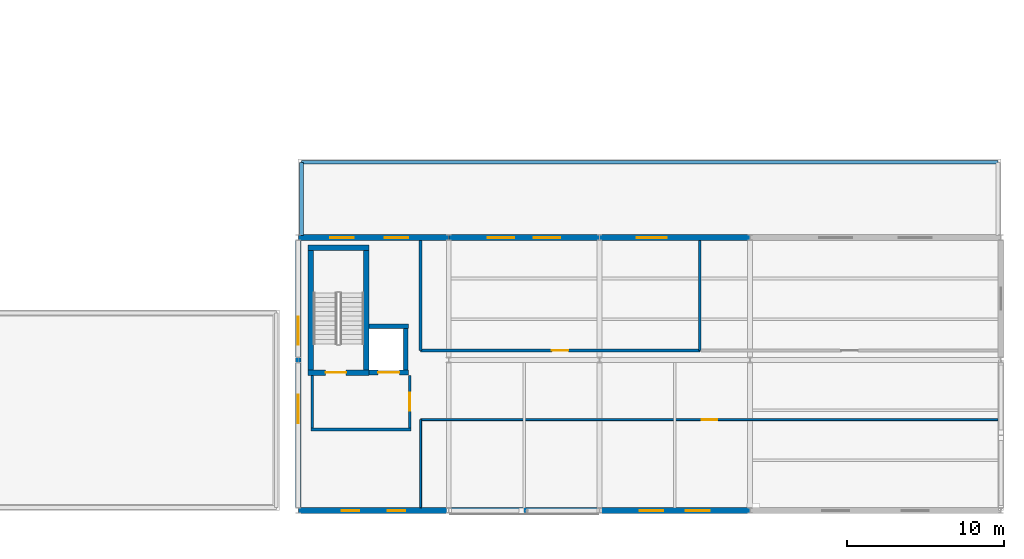
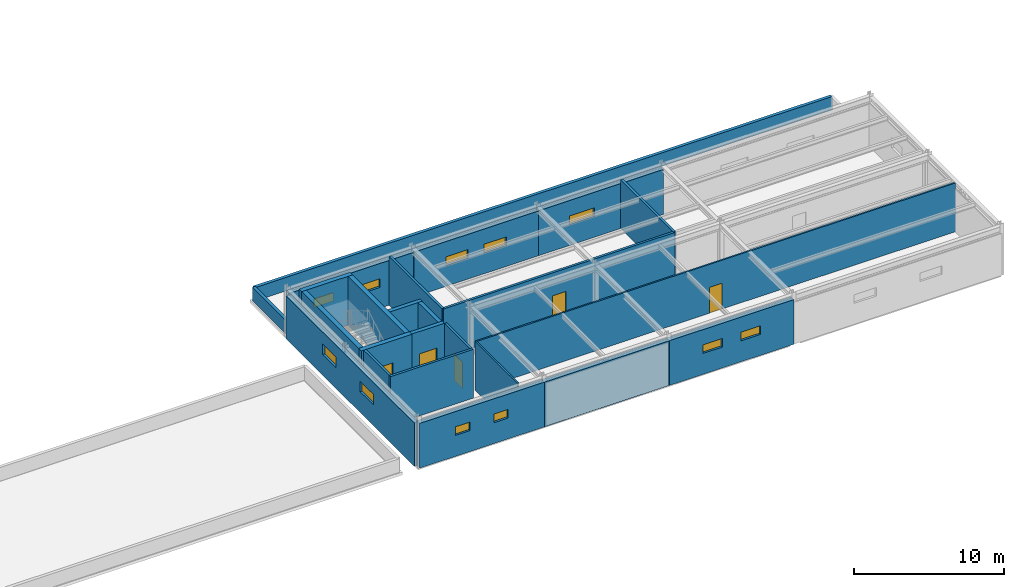
# One storey, part 77 of 88: 24 walls, 11 windows, 5 doors, 16 openings.
"""IFC4 building model written with IfcOpenShell, lengths in metres."""

from ifc_helpers import new_model, si_unit, direction, frame, frame_2d, origin, place, context, subcontext, project, spatial, rectangle, extrude, material, layer, layer_set, type_object, element, fill, save


model = new_model("IFC4")

# Units and contexts
model_context = context("Model", 3, precision=1e-05, world=origin(), true_north=direction((0.0, 1.0)))
body_context = subcontext(model_context, "Body", "Model", "MODEL_VIEW")
ifc_project = project(units=[si_unit("LENGTHUNIT", "METRE"), si_unit("AREAUNIT", "SQUARE_METRE"), si_unit("VOLUMEUNIT", "CUBIC_METRE"), si_unit("PLANEANGLEUNIT", "RADIAN"), si_unit("MASSUNIT", "GRAM", prefix="KILO")], contexts=[model_context])

# Site, building, storey
site_placement = place(None, origin())
site = spatial("IfcSite", under=ifc_project, at=site_placement, CompositionType="ELEMENT")
building_placement = place(site_placement, origin())
building = spatial("IfcBuilding", under=site, at=building_placement, Name="Nordkorset Police Headquarters", CompositionType="ELEMENT")
storey_placement = place(building_placement, frame((0.0, 0.0, 9.449951171875)))
storey = spatial("IfcBuildingStorey", under=building, at=storey_placement, Name="L02", CompositionType="ELEMENT", Elevation=9.449951171875)

# Walls
ifc_material_1 = material(Name="Gypsum board", Category="gypsum")
ifc_layer_1 = layer(ifc_material_1, 0.179931640625, Name="Gypsum board")
ifc_layer_set_1 = layer_set([ifc_layer_1], Name="Gypsum board")
wall_type_1 = type_object("IfcWallType", Name="Wall_Comp_180", PredefinedType="PARTITIONING", material=ifc_layer_set_1)
wall_1_placement = place(storey_placement, frame((127.199951171875, 5.159912109375, 0.0), z_axis=(0.0, 0.0, 1.0), x_axis=(1.0, 0.0, 0.0)))
element("IfcWall", 1, at=wall_1_placement, inside=storey, type_object=wall_type_1, Name="Firefighting Lobby EI 60 Wall K6 L02 S", PredefinedType="PARTITIONING", context=body_context, shape_type="SweptSolid", body=[
    extrude(rectangle(XDim=6.400146484375, YDim=0.179931640625, at=frame_2d((3.2001953125, 0.0))), origin(), (0.0, 0.0, 1.0), 3.969970703125),
])
wall_2_placement = place(storey_placement, frame((127.2900390625, 5.25, 0.0), z_axis=(0.0, 0.0, 1.0), x_axis=(0.0, 1.0, 0.0)))
element("IfcWall", 2, at=wall_2_placement, inside=storey, type_object=wall_type_1, Name="Firefighting Lobby EI 60 Wall K6 L02 W", PredefinedType="PARTITIONING", context=body_context, shape_type="SweptSolid", body=[
    extrude(rectangle(XDim=3.375, YDim=0.179931640625, at=frame_2d((1.6875, 0.0))), origin(), (0.0, 0.0, 1.0), 3.969970703125),
])

# Wall, opening, door
wall_3_placement = place(storey_placement, frame((133.510009765625, 5.25, 0.0), z_axis=(0.0, 0.0, 1.0), x_axis=(0.0, 1.0, 0.0)))
wall_3 = element("IfcWall", 3, at=wall_3_placement, inside=storey, type_object=wall_type_1, Name="Firefighting Lobby EI 60 Wall K6 L02 E", PredefinedType="PARTITIONING", context=body_context, shape_type="SweptSolid", body=[
    extrude(rectangle(XDim=3.375, YDim=0.179931640625, at=frame_2d((1.6875, 0.0))), origin(), (0.0, 0.0, 1.0), 3.969970703125),
])
opening_1_placement = place(wall_3_placement, frame((1.112548828125, 0.0, 0.0)))
opening_1 = element("IfcOpeningElement", 4, at=opening_1_placement, cuts=wall_3, Name="Opening DR-01", PredefinedType="OPENING", context=body_context, shape_type="SweptSolid", body=[
    extrude(rectangle(XDim=1.14990234375, YDim=2.14990234375, at=frame_2d((0.574951171875, 1.074951171875))), frame((0.0, 0.10009765625, 0.0), z_axis=(0.0, -1.0, 0.0), x_axis=(1.0, 0.0, 0.0)), (0.0, 0.0, 1.0), 0.199951171875),
])
ifc_material_2 = material(Name="Steel S355J2", Category="steel")
door_type_1 = type_object("IfcDoorType", Name="Door_LobbySingle_1150x2150", OperationType="NOTDEFINED", PredefinedType="DOOR", material=ifc_material_2)
door_1_placement = place(opening_1_placement, origin())
door_1 = element("IfcDoor", 5, at=door_1_placement, inside=storey, type_object=door_type_1, Name="Firefighting Lobby Smoke Door K6 L02 E", OperationType="SINGLE_SWING_LEFT", OverallHeight=2.14990234375, OverallWidth=1.14990234375, PredefinedType="DOOR", context=body_context, shape_type="SweptSolid", body=[
    extrude(rectangle(XDim=1.14990234375, YDim=2.14990234375, at=frame_2d((0.574951171875, 1.074951171875))), frame((0.0, 0.02490234375, 0.0), z_axis=(0.0, -1.0, 0.0), x_axis=(1.0, 0.0, 0.0)), (0.0, 0.0, 1.0), 0.050048828125),
])
fill(opening_1, door_1)

wall_4_placement = place(storey_placement, frame((134.199951171875, 10.199951171875, 0.0), z_axis=(0.0, 0.0, 1.0), x_axis=(1.0, 0.0, 0.0)))
wall_4 = element("IfcWall", 6, at=wall_4_placement, inside=storey, type_object=wall_type_1, Name="Interior Partition Wall Detention Cell 09", PredefinedType="PARTITIONING", context=body_context, shape_type="SweptSolid", body=[
    extrude(rectangle(XDim=17.800048828125, YDim=0.179931640625, at=frame_2d((8.89990234375, 0.0))), origin(), (0.0, 0.0, 1.0), 3.969970703125),
])
opening_2_placement = place(wall_4_placement, frame((8.375, 0.0, 0.0)))
opening_2 = element("IfcOpeningElement", 7, at=opening_2_placement, cuts=wall_4, Name="Opening DR-24", PredefinedType="OPENING", context=body_context, shape_type="SweptSolid", body=[
    extrude(rectangle(XDim=1.050048828125, YDim=2.10009765625, at=frame_2d((0.52490234375, 1.050048828125))), frame((0.0, 0.10009765625, 0.0), z_axis=(0.0, -1.0, 0.0), x_axis=(1.0, 0.0, 0.0)), (0.0, 0.0, 1.0), 0.199951171875),
])
ifc_material_3 = material(Name="Steel S355J2", Category="steel")
door_type_2 = type_object("IfcDoorType", Name="Door_CustodyCell_1050x2100", OperationType="NOTDEFINED", PredefinedType="DOOR", material=ifc_material_3)
door_2_placement = place(opening_2_placement, frame((1.050048828125, 0.0, 0.0), z_axis=(0.0, 0.0, 1.0), x_axis=(-1.0, 0.0, 0.0)))
door_2 = element("IfcDoor", 8, at=door_2_placement, inside=storey, type_object=door_type_2, Name="Interior Door Detention Cell 09", OperationType="SINGLE_SWING_LEFT", OverallHeight=2.10009765625, OverallWidth=1.050048828125, PredefinedType="DOOR", context=body_context, shape_type="SweptSolid", body=[
    extrude(rectangle(XDim=1.050048828125, YDim=2.10009765625, at=frame_2d((0.52490234375, 1.050048828125))), frame((0.0, 0.02490234375, 0.0), z_axis=(0.0, -1.0, 0.0), x_axis=(1.0, 0.0, 0.0)), (0.0, 0.0, 1.0), 0.050048828125),
])
fill(opening_2, door_2)

# Walls
for number, where, z_axis, x_axis, name in (
    (9, (152.0, 10.199951171875, 0.0), (0.0, 0.0, 1.0), (0.0, 1.0, 0.0), "Interior Partition Wall Detention Cell 09"),
    (10, (134.199951171875, 17.215087890625, 0.0), (0.0, 0.0, 1.0), (0.0, -1.0, 0.0), "Interior Partition Wall Detention Cell 09"),
):
    element("IfcWall", number, at=place(storey_placement, frame(where, z_axis=z_axis, x_axis=x_axis)), inside=storey, type_object=wall_type_1, Name=name, PredefinedType="PARTITIONING", context=body_context, shape_type="SweptSolid", body=[
        extrude(rectangle(XDim=7.01513671875, YDim=0.179931640625, at=frame_2d((3.507568359375, 0.0))), origin(), (0.0, 0.0, 1.0), 3.969970703125),
    ])

# Wall, opening, door
ifc_material_4 = material(Name="Concrete C35/45", Category="concrete")
ifc_layer_2 = layer(ifc_material_4, 0.35009765625, Name="Concrete C35/45")
ifc_layer_set_2 = layer_set([ifc_layer_2], Name="Concrete C35/45")
wall_type_2 = type_object("IfcWallType", Name="Wall_CoreShear_350", PredefinedType="SHEAR", material=ifc_layer_set_2)
wall_5_placement = place(storey_placement, frame((127.02490234375, 8.800048828125, 0.0), z_axis=(0.0, 0.0, 1.0), x_axis=(1.0, 0.0, 0.0)))
wall_5 = element("IfcWall", 11, at=wall_5_placement, inside=storey, type_object=wall_type_2, Name="Core K6 Stair Shaft South Shear Wall L02", PredefinedType="SHEAR", context=body_context, shape_type="SweptSolid", body=[
    extrude(rectangle(XDim=3.900146484375, YDim=0.35009765625, at=frame_2d((1.9501953125, 0.0))), origin(), (0.0, 0.0, 1.0), 3.969970703125),
])
opening_3_placement = place(wall_5_placement, frame((1.125, 0.0, 0.0)))
opening_3 = element("IfcOpeningElement", 12, at=opening_3_placement, cuts=wall_5, Name="Opening DR-20", PredefinedType="OPENING", context=body_context, shape_type="SweptSolid", body=[
    extrude(rectangle(XDim=1.300048828125, YDim=2.14990234375, at=frame_2d((0.64990234375, 1.074951171875))), frame((0.0, 0.18505859375, 0.0), z_axis=(0.0, -1.0, 0.0), x_axis=(1.0, 0.0, 0.0)), (0.0, 0.0, 1.0), 0.3701171875),
])
ifc_material_5 = material(Name="Steel S355J2", Category="steel")
door_type_3 = type_object("IfcDoorType", Name="Door_Stair_1300x2150", OperationType="NOTDEFINED", PredefinedType="DOOR", material=ifc_material_5)
door_3_placement = place(opening_3_placement, frame((1.300048828125, 0.0, 0.0), z_axis=(0.0, 0.0, 1.0), x_axis=(-1.0, 0.0, 0.0)))
door_3 = element("IfcDoor", 13, at=door_3_placement, inside=storey, type_object=door_type_3, Name="Protected Stair Fire Door ST-06 L02", OperationType="SINGLE_SWING_RIGHT", OverallHeight=2.14990234375, OverallWidth=1.300048828125, PredefinedType="DOOR", context=body_context, shape_type="SweptSolid", body=[
    extrude(rectangle(XDim=1.300048828125, YDim=2.14990234375, at=frame_2d((0.64990234375, 1.074951171875))), frame((0.0, 0.02490234375, 0.0), z_axis=(0.0, -1.0, 0.0), x_axis=(1.0, 0.0, 0.0)), (0.0, 0.0, 1.0), 0.050048828125),
])
fill(opening_3, door_3)

# Walls
wall_6_placement = place(storey_placement, frame((127.02490234375, 16.75, 0.0), z_axis=(0.0, 0.0, 1.0), x_axis=(1.0, 0.0, 0.0)))
element("IfcWall", 14, at=wall_6_placement, inside=storey, type_object=wall_type_2, Name="Core K6 Stair Shaft North Shear Wall L02", PredefinedType="SHEAR", context=body_context, shape_type="SweptSolid", body=[
    extrude(rectangle(XDim=3.900146484375, YDim=0.35009765625, at=frame_2d((1.9501953125, 0.0))), origin(), (0.0, 0.0, 1.0), 3.969970703125),
])
for number, where, z_axis, x_axis, name in (
    (15, (127.199951171875, 8.97509765625, 0.0), (0.0, 0.0, 1.0), (0.0, 1.0, 0.0), "Core K6 Stair Shaft West Shear Wall L02"),
    (16, (130.75, 8.97509765625, 0.0), (0.0, 0.0, 1.0), (0.0, 1.0, 0.0), "Core K6 Stair Shaft East Shear Wall L02"),
):
    element("IfcWall", number, at=place(storey_placement, frame(where, z_axis=z_axis, x_axis=x_axis)), inside=storey, type_object=wall_type_2, Name=name, PredefinedType="SHEAR", context=body_context, shape_type="SweptSolid", body=[
        extrude(rectangle(XDim=7.599853515625, YDim=0.35009765625, at=frame_2d((3.7998046875, 0.0))), origin(), (0.0, 0.0, 1.0), 3.969970703125),
    ])

# Wall, openings, windows
ifc_material_6 = material(Name="Precast concrete C40/50", Category="concrete")
ifc_layer_3 = layer(ifc_material_6, 0.3798828125, Name="Precast concrete C40/50")
ifc_layer_set_3 = layer_set([ifc_layer_3], Name="Precast concrete C40/50")
wall_type_3 = type_object("IfcWallType", Name="Wall_ExtCustody_380", PredefinedType="SOLIDWALL", material=ifc_layer_set_3)
wall_7_placement = place(storey_placement, frame((126.407958984375, 0.0, 0.0), z_axis=(0.0, 0.0, 1.0), x_axis=(1.0, 0.0, 0.0)))
wall_7 = element("IfcWall", 17, at=wall_7_placement, inside=storey, type_object=wall_type_3, Name="Exterior Insulated Precast Wall L02 V6S-0", PredefinedType="SOLIDWALL", context=body_context, shape_type="SweptSolid", body=[
    extrude(rectangle(XDim=9.583984375, YDim=0.3798828125, at=frame_2d((4.7919921875, 0.0))), origin(), (0.0, 0.0, 1.0), 3.64013671875),
])
opening_4_placement = place(wall_7_placement, frame((2.775390625, 0.0, 1.699951171875)))
opening_4 = element("IfcOpeningElement", 18, at=opening_4_placement, cuts=wall_7, Name="Opening WN-11", PredefinedType="OPENING", context=body_context, shape_type="SweptSolid", body=[
    extrude(rectangle(XDim=1.10009765625, YDim=0.699951171875, at=frame_2d((0.550048828125, 0.35009765625))), frame((0.0, 0.199951171875, 0.0), z_axis=(0.0, -1.0, 0.0), x_axis=(1.0, 0.0, 0.0)), (0.0, 0.0, 1.0), 0.39990234375),
])
opening_5_placement = place(wall_7_placement, frame((5.708740234375, 0.0, 1.699951171875)))
opening_5 = element("IfcOpeningElement", 19, at=opening_5_placement, cuts=wall_7, Name="Opening WN-11", PredefinedType="OPENING", context=body_context, shape_type="SweptSolid", body=[
    extrude(rectangle(XDim=1.10009765625, YDim=0.699951171875, at=frame_2d((0.550048828125, 0.35009765625))), frame((0.0, 0.199951171875, 0.0), z_axis=(0.0, -1.0, 0.0), x_axis=(1.0, 0.0, 0.0)), (0.0, 0.0, 1.0), 0.39990234375),
])
ifc_material_7 = material(Name="Low-iron triple glazing", Category="glass")
window_type_1 = type_object("IfcWindowType", Name="Win_1100x700", PartitioningType="SINGLE_PANEL", PredefinedType="WINDOW", material=ifc_material_7)
window_1_placement = place(opening_4_placement, origin())
window_1 = element("IfcWindow", 20, at=window_1_placement, inside=storey, type_object=window_type_1, Name="Triple-Glazed Exterior Window L02 V6S-0-1", OverallHeight=0.699951171875, OverallWidth=1.10009765625, PartitioningType="SINGLE_PANEL", PredefinedType="WINDOW", context=body_context, shape_type="SweptSolid", body=[
    extrude(rectangle(XDim=1.10009765625, YDim=0.699951171875, at=frame_2d((0.550048828125, 0.35009765625))), frame((0.0, 0.030029296875, 0.0), z_axis=(0.0, -1.0, 0.0), x_axis=(1.0, 0.0, 0.0)), (0.0, 0.0, 1.0), 0.06005859375),
])
fill(opening_4, window_1)
window_2_placement = place(opening_5_placement, origin())
window_2 = element("IfcWindow", 21, at=window_2_placement, inside=storey, type_object=window_type_1, Name="Triple-Glazed Exterior Window L02 V6S-0-2", OverallHeight=0.699951171875, OverallWidth=1.10009765625, PartitioningType="SINGLE_PANEL", PredefinedType="WINDOW", context=body_context, shape_type="SweptSolid", body=[
    extrude(rectangle(XDim=1.10009765625, YDim=0.699951171875, at=frame_2d((0.550048828125, 0.35009765625))), frame((0.0, 0.030029296875, 0.0), z_axis=(0.0, -1.0, 0.0), x_axis=(1.0, 0.0, 0.0)), (0.0, 0.0, 1.0), 0.06005859375),
])
fill(opening_5, window_2)

wall_8_placement = place(storey_placement, frame((126.407958984375, 17.39990234375, 0.0), z_axis=(0.0, 0.0, 1.0), x_axis=(1.0, 0.0, 0.0)))
wall_8 = element("IfcWall", 22, at=wall_8_placement, inside=storey, type_object=wall_type_3, Name="Exterior Insulated Precast Wall L02 V6N-0", PredefinedType="SOLIDWALL", context=body_context, shape_type="SweptSolid", body=[
    extrude(rectangle(XDim=9.583984375, YDim=0.3798828125, at=frame_2d((4.7919921875, 0.0))), origin(), (0.0, 0.0, 1.0), 3.64013671875),
])
opening_6_placement = place(wall_8_placement, frame((2.025390625, 0.0, 1.699951171875)))
opening_6 = element("IfcOpeningElement", 23, at=opening_6_placement, cuts=wall_8, Name="Opening WN-25", PredefinedType="OPENING", context=body_context, shape_type="SweptSolid", body=[
    extrude(rectangle(XDim=1.5, YDim=0.699951171875, at=frame_2d((0.75, 0.35009765625))), frame((0.0, 0.199951171875, 0.0), z_axis=(0.0, -1.0, 0.0), x_axis=(1.0, 0.0, 0.0)), (0.0, 0.0, 1.0), 0.39990234375),
])
opening_7_placement = place(wall_8_placement, frame((5.5087890625, 0.0, 1.699951171875)))
opening_7 = element("IfcOpeningElement", 24, at=opening_7_placement, cuts=wall_8, Name="Opening WN-25", PredefinedType="OPENING", context=body_context, shape_type="SweptSolid", body=[
    extrude(rectangle(XDim=1.5, YDim=0.699951171875, at=frame_2d((0.75, 0.35009765625))), frame((0.0, 0.199951171875, 0.0), z_axis=(0.0, -1.0, 0.0), x_axis=(1.0, 0.0, 0.0)), (0.0, 0.0, 1.0), 0.39990234375),
])
ifc_material_8 = material(Name="Low-iron triple glazing", Category="glass")
window_type_2 = type_object("IfcWindowType", Name="Win_1500x700", PartitioningType="SINGLE_PANEL", PredefinedType="WINDOW", material=ifc_material_8)
window_3_placement = place(opening_6_placement, origin())
window_3 = element("IfcWindow", 25, at=window_3_placement, inside=storey, type_object=window_type_2, Name="Triple-Glazed Exterior Window L02 V6N-0-1", OverallHeight=0.699951171875, OverallWidth=1.5, PartitioningType="SINGLE_PANEL", PredefinedType="WINDOW", context=body_context, shape_type="SweptSolid", body=[
    extrude(rectangle(XDim=1.5, YDim=0.699951171875, at=frame_2d((0.75, 0.35009765625))), frame((0.0, 0.030029296875, 0.0), z_axis=(0.0, -1.0, 0.0), x_axis=(1.0, 0.0, 0.0)), (0.0, 0.0, 1.0), 0.06005859375),
])
fill(opening_6, window_3)
window_4_placement = place(opening_7_placement, origin())
window_4 = element("IfcWindow", 26, at=window_4_placement, inside=storey, type_object=window_type_2, Name="Triple-Glazed Exterior Window L02 V6N-0-2", OverallHeight=0.699951171875, OverallWidth=1.5, PartitioningType="SINGLE_PANEL", PredefinedType="WINDOW", context=body_context, shape_type="SweptSolid", body=[
    extrude(rectangle(XDim=1.5, YDim=0.699951171875, at=frame_2d((0.75, 0.35009765625))), frame((0.0, 0.030029296875, 0.0), z_axis=(0.0, -1.0, 0.0), x_axis=(1.0, 0.0, 0.0)), (0.0, 0.0, 1.0), 0.06005859375),
])
fill(opening_7, window_4)

# Wall
wall_9_placement = place(storey_placement, frame((136.008056640625, 0.0, 0.0), z_axis=(0.0, 0.0, 1.0), x_axis=(1.0, 0.0, 0.0)))
element("IfcWall", 27, at=wall_9_placement, inside=storey, type_object=wall_type_3, Name="Exterior Insulated Precast Wall L02 V6S-1", PredefinedType="SOLIDWALL", context=body_context, shape_type="SweptSolid", body=[
    extrude(rectangle(XDim=9.583984375, YDim=0.3798828125, at=frame_2d((4.7919921875, 0.0))), origin(), (0.0, 0.0, 1.0), 3.635009765625),
])

# Wall, openings, windows
wall_10_placement = place(storey_placement, frame((136.008056640625, 17.39990234375, 0.0), z_axis=(0.0, 0.0, 1.0), x_axis=(1.0, 0.0, 0.0)))
wall_10 = element("IfcWall", 28, at=wall_10_placement, inside=storey, type_object=wall_type_3, Name="Exterior Insulated Precast Wall L02 V6N-1", PredefinedType="SOLIDWALL", context=body_context, shape_type="SweptSolid", body=[
    extrude(rectangle(XDim=9.583984375, YDim=0.3798828125, at=frame_2d((4.7919921875, 0.0))), origin(), (0.0, 0.0, 1.0), 3.64013671875),
])
opening_8_placement = place(wall_10_placement, frame((2.475341796875, 0.0, 1.699951171875)))
opening_8 = element("IfcOpeningElement", 29, at=opening_8_placement, cuts=wall_10, Name="Opening WN-10", PredefinedType="OPENING", context=body_context, shape_type="SweptSolid", body=[
    extrude(rectangle(XDim=1.699951171875, YDim=0.699951171875, at=frame_2d((0.85009765625, 0.35009765625))), frame((0.0, 0.199951171875, 0.0), z_axis=(0.0, -1.0, 0.0), x_axis=(1.0, 0.0, 0.0)), (0.0, 0.0, 1.0), 0.39990234375),
])
opening_9_placement = place(wall_10_placement, frame((5.40869140625, 0.0, 1.699951171875)))
opening_9 = element("IfcOpeningElement", 30, at=opening_9_placement, cuts=wall_10, Name="Opening WN-10", PredefinedType="OPENING", context=body_context, shape_type="SweptSolid", body=[
    extrude(rectangle(XDim=1.699951171875, YDim=0.699951171875, at=frame_2d((0.85009765625, 0.35009765625))), frame((0.0, 0.199951171875, 0.0), z_axis=(0.0, -1.0, 0.0), x_axis=(1.0, 0.0, 0.0)), (0.0, 0.0, 1.0), 0.39990234375),
])
ifc_material_9 = material(Name="Low-iron triple glazing", Category="glass")
window_type_3 = type_object("IfcWindowType", Name="Win_1700x700", PartitioningType="SINGLE_PANEL", PredefinedType="WINDOW", material=ifc_material_9)
window_5_placement = place(opening_8_placement, origin())
window_5 = element("IfcWindow", 31, at=window_5_placement, inside=storey, type_object=window_type_3, Name="Triple-Glazed Exterior Window L02 V6N-1-1", OverallHeight=0.699951171875, OverallWidth=1.699951171875, PartitioningType="SINGLE_PANEL", PredefinedType="WINDOW", context=body_context, shape_type="SweptSolid", body=[
    extrude(rectangle(XDim=1.699951171875, YDim=0.699951171875, at=frame_2d((0.85009765625, 0.35009765625))), frame((0.0, 0.030029296875, 0.0), z_axis=(0.0, -1.0, 0.0), x_axis=(1.0, 0.0, 0.0)), (0.0, 0.0, 1.0), 0.06005859375),
])
fill(opening_8, window_5)
window_6_placement = place(opening_9_placement, origin())
window_6 = element("IfcWindow", 32, at=window_6_placement, inside=storey, type_object=window_type_3, Name="Triple-Glazed Exterior Window L02 V6N-1-2", OverallHeight=0.699951171875, OverallWidth=1.699951171875, PartitioningType="SINGLE_PANEL", PredefinedType="WINDOW", context=body_context, shape_type="SweptSolid", body=[
    extrude(rectangle(XDim=1.699951171875, YDim=0.699951171875, at=frame_2d((0.85009765625, 0.35009765625))), frame((0.0, 0.030029296875, 0.0), z_axis=(0.0, -1.0, 0.0), x_axis=(1.0, 0.0, 0.0)), (0.0, 0.0, 1.0), 0.06005859375),
])
fill(opening_9, window_6)

wall_11_placement = place(storey_placement, frame((145.60791015625, 0.0, 0.0), z_axis=(0.0, 0.0, 1.0), x_axis=(1.0, 0.0, 0.0)))
wall_11 = element("IfcWall", 33, at=wall_11_placement, inside=storey, type_object=wall_type_3, Name="Exterior Insulated Precast Wall L02 V6S-2", PredefinedType="SOLIDWALL", context=body_context, shape_type="SweptSolid", body=[
    extrude(rectangle(XDim=9.583984375, YDim=0.3798828125, at=frame_2d((4.7919921875, 0.0))), origin(), (0.0, 0.0, 1.0), 3.635009765625),
])
opening_10_placement = place(wall_11_placement, frame((2.5751953125, 0.0, 1.699951171875)))
opening_10 = element("IfcOpeningElement", 34, at=opening_10_placement, cuts=wall_11, Name="Opening WN-25", PredefinedType="OPENING", context=body_context, shape_type="SweptSolid", body=[
    extrude(rectangle(XDim=1.5, YDim=0.699951171875, at=frame_2d((0.75, 0.35009765625))), frame((0.0, 0.199951171875, 0.0), z_axis=(0.0, -1.0, 0.0), x_axis=(1.0, 0.0, 0.0)), (0.0, 0.0, 1.0), 0.39990234375),
])
opening_11_placement = place(wall_11_placement, frame((5.5087890625, 0.0, 1.699951171875)))
opening_11 = element("IfcOpeningElement", 35, at=opening_11_placement, cuts=wall_11, Name="Opening WN-25", PredefinedType="OPENING", context=body_context, shape_type="SweptSolid", body=[
    extrude(rectangle(XDim=1.5, YDim=0.699951171875, at=frame_2d((0.75, 0.35009765625))), frame((0.0, 0.199951171875, 0.0), z_axis=(0.0, -1.0, 0.0), x_axis=(1.0, 0.0, 0.0)), (0.0, 0.0, 1.0), 0.39990234375),
])
window_7_placement = place(opening_10_placement, origin())
window_7 = element("IfcWindow", 36, at=window_7_placement, inside=storey, type_object=window_type_2, Name="Triple-Glazed Exterior Window L02 V6S-2-1", OverallHeight=0.699951171875, OverallWidth=1.5, PartitioningType="SINGLE_PANEL", PredefinedType="WINDOW", context=body_context, shape_type="SweptSolid", body=[
    extrude(rectangle(XDim=1.5, YDim=0.699951171875, at=frame_2d((0.75, 0.35009765625))), frame((0.0, 0.030029296875, 0.0), z_axis=(0.0, -1.0, 0.0), x_axis=(1.0, 0.0, 0.0)), (0.0, 0.0, 1.0), 0.06005859375),
])
fill(opening_10, window_7)
window_8_placement = place(opening_11_placement, origin())
window_8 = element("IfcWindow", 37, at=window_8_placement, inside=storey, type_object=window_type_2, Name="Triple-Glazed Exterior Window L02 V6S-2-2", OverallHeight=0.699951171875, OverallWidth=1.5, PartitioningType="SINGLE_PANEL", PredefinedType="WINDOW", context=body_context, shape_type="SweptSolid", body=[
    extrude(rectangle(XDim=1.5, YDim=0.699951171875, at=frame_2d((0.75, 0.35009765625))), frame((0.0, 0.030029296875, 0.0), z_axis=(0.0, -1.0, 0.0), x_axis=(1.0, 0.0, 0.0)), (0.0, 0.0, 1.0), 0.06005859375),
])
fill(opening_11, window_8)

# Wall, opening, window
wall_12_placement = place(storey_placement, frame((145.60791015625, 17.39990234375, 0.0), z_axis=(0.0, 0.0, 1.0), x_axis=(1.0, 0.0, 0.0)))
wall_12 = element("IfcWall", 38, at=wall_12_placement, inside=storey, type_object=wall_type_3, Name="Exterior Insulated Precast Wall L02 V6N-2", PredefinedType="SOLIDWALL", context=body_context, shape_type="SweptSolid", body=[
    extrude(rectangle(XDim=9.583984375, YDim=0.3798828125, at=frame_2d((4.7919921875, 0.0))), origin(), (0.0, 0.0, 1.0), 3.655029296875),
])
opening_12_placement = place(wall_12_placement, frame((2.375244140625, 0.0, 1.699951171875)))
opening_12 = element("IfcOpeningElement", 39, at=opening_12_placement, cuts=wall_12, Name="Opening WN-49", PredefinedType="OPENING", context=body_context, shape_type="SweptSolid", body=[
    extrude(rectangle(XDim=1.89990234375, YDim=0.699951171875, at=frame_2d((0.949951171875, 0.35009765625))), frame((0.0, 0.199951171875, 0.0), z_axis=(0.0, -1.0, 0.0), x_axis=(1.0, 0.0, 0.0)), (0.0, 0.0, 1.0), 0.39990234375),
])
ifc_material_10 = material(Name="Low-iron triple glazing", Category="glass")
window_type_4 = type_object("IfcWindowType", Name="Win_1900x700", PartitioningType="SINGLE_PANEL", PredefinedType="WINDOW", material=ifc_material_10)
window_9_placement = place(opening_12_placement, origin())
window_9 = element("IfcWindow", 40, at=window_9_placement, inside=storey, type_object=window_type_4, Name="Triple-Glazed Exterior Window L02 V6N-2-1", OverallHeight=0.699951171875, OverallWidth=1.89990234375, PartitioningType="SINGLE_PANEL", PredefinedType="WINDOW", context=body_context, shape_type="SweptSolid", body=[
    extrude(rectangle(XDim=1.89990234375, YDim=0.699951171875, at=frame_2d((0.949951171875, 0.35009765625))), frame((0.0, 0.030029296875, 0.0), z_axis=(0.0, -1.0, 0.0), x_axis=(1.0, 0.0, 0.0)), (0.0, 0.0, 1.0), 0.06005859375),
])
fill(opening_12, window_9)

# Wall, openings, windows
wall_13_placement = place(storey_placement, frame((126.39990234375, 0.172119140625, 0.0), z_axis=(0.0, 0.0, 1.0), x_axis=(0.0, 1.0, 0.0)))
wall_13 = element("IfcWall", 41, at=wall_13_placement, inside=storey, type_object=wall_type_3, Name="Exterior Insulated Precast Wall L02 V6W-0", PredefinedType="SOLIDWALL", context=body_context, shape_type="SweptSolid", body=[
    extrude(rectangle(XDim=17.055908203125, YDim=0.3798828125, at=frame_2d((8.52783203125, 0.0))), origin(), (0.0, 0.0, 1.0), 3.510009765625),
])
opening_13_placement = place(wall_13_placement, frame((5.411376953125, 0.0, 1.699951171875)))
opening_13 = element("IfcOpeningElement", 42, at=opening_13_placement, cuts=wall_13, Name="Opening WN-44", PredefinedType="OPENING", context=body_context, shape_type="SweptSolid", body=[
    extrude(rectangle(XDim=1.800048828125, YDim=0.85009765625, at=frame_2d((0.89990234375, 0.425048828125))), frame((0.0, 0.199951171875, 0.0), z_axis=(0.0, -1.0, 0.0), x_axis=(1.0, 0.0, 0.0)), (0.0, 0.0, 1.0), 0.39990234375),
])
opening_14_placement = place(wall_13_placement, frame((10.394775390625, 0.0, 1.699951171875)))
opening_14 = element("IfcOpeningElement", 43, at=opening_14_placement, cuts=wall_13, Name="Opening WN-44", PredefinedType="OPENING", context=body_context, shape_type="SweptSolid", body=[
    extrude(rectangle(XDim=1.800048828125, YDim=0.85009765625, at=frame_2d((0.89990234375, 0.425048828125))), frame((0.0, 0.199951171875, 0.0), z_axis=(0.0, -1.0, 0.0), x_axis=(1.0, 0.0, 0.0)), (0.0, 0.0, 1.0), 0.39990234375),
])
ifc_material_11 = material(Name="Low-iron triple glazing", Category="glass")
window_type_5 = type_object("IfcWindowType", Name="Win_1800x850", PartitioningType="SINGLE_PANEL", PredefinedType="WINDOW", material=ifc_material_11)
window_10_placement = place(opening_13_placement, origin())
window_10 = element("IfcWindow", 44, at=window_10_placement, inside=storey, type_object=window_type_5, Name="Triple-Glazed Exterior Window L02 V6W-0-1", OverallHeight=0.85009765625, OverallWidth=1.800048828125, PartitioningType="SINGLE_PANEL", PredefinedType="WINDOW", context=body_context, shape_type="SweptSolid", body=[
    extrude(rectangle(XDim=1.800048828125, YDim=0.85009765625, at=frame_2d((0.89990234375, 0.425048828125))), frame((0.0, 0.030029296875, 0.0), z_axis=(0.0, -1.0, 0.0), x_axis=(1.0, 0.0, 0.0)), (0.0, 0.0, 1.0), 0.06005859375),
])
fill(opening_13, window_10)
window_11_placement = place(opening_14_placement, origin())
window_11 = element("IfcWindow", 45, at=window_11_placement, inside=storey, type_object=window_type_5, Name="Triple-Glazed Exterior Window L02 V6W-0-2", OverallHeight=0.85009765625, OverallWidth=1.800048828125, PartitioningType="SINGLE_PANEL", PredefinedType="WINDOW", context=body_context, shape_type="SweptSolid", body=[
    extrude(rectangle(XDim=1.800048828125, YDim=0.85009765625, at=frame_2d((0.89990234375, 0.425048828125))), frame((0.0, 0.030029296875, 0.0), z_axis=(0.0, -1.0, 0.0), x_axis=(1.0, 0.0, 0.0)), (0.0, 0.0, 1.0), 0.06005859375),
])
fill(opening_14, window_11)

# Walls
ifc_material_12 = material(Name="Precast concrete C40/50", Category="concrete")
ifc_layer_4 = layer(ifc_material_12, 0.239990234375, Name="Precast concrete C40/50")
ifc_layer_set_4 = layer_set([ifc_layer_4], Name="Precast concrete C40/50")
wall_type_4 = type_object("IfcWallType", Name="Wall_Parapet_240", PredefinedType="PARAPET", material=ifc_layer_set_4)
wall_14_placement = place(storey_placement, frame((171.0, 22.199951171875, 0.0), z_axis=(0.0, 0.0, 1.0), x_axis=(-1.0, 0.0, 0.0)))
element("IfcWall", 46, at=wall_14_placement, inside=storey, type_object=wall_type_4, Name="Flat Roof Parapet Wall V6SET-L02-3", PredefinedType="PARAPET", context=body_context, shape_type="SweptSolid", body=[
    extrude(rectangle(XDim=44.39990234375, YDim=0.239990234375, at=frame_2d((22.199951171875, 0.0))), origin(), (0.0, 0.0, 1.0), 1.10009765625),
])
wall_15_placement = place(storey_placement, frame((126.60009765625, 22.199951171875, 0.0), z_axis=(0.0, 0.0, 1.0), x_axis=(0.0, -1.0, 0.0)))
element("IfcWall", 47, at=wall_15_placement, inside=storey, type_object=wall_type_4, Name="Flat Roof Parapet Wall V6SET-L02-4", PredefinedType="PARAPET", context=body_context, shape_type="SweptSolid", body=[
    extrude(rectangle(XDim=4.64990234375, YDim=0.239990234375, at=frame_2d((2.324951171875, 0.0))), origin(), (0.0, 0.0, 1.0), 1.10009765625),
])

# Wall, opening, door
ifc_material_13 = material(Name="Gypsum board", Category="gypsum")
ifc_layer_5 = layer(ifc_material_13, 0.1201171875, Name="Gypsum board")
ifc_layer_set_5 = layer_set([ifc_layer_5], Name="Gypsum board")
wall_type_5 = type_object("IfcWallType", Name="Wall_Part_120", PredefinedType="PARTITIONING", material=ifc_layer_set_5)
wall_16_placement = place(storey_placement, frame((171.014892578125, 5.800048828125, 0.0), z_axis=(0.0, 0.0, 1.0), x_axis=(-1.0, 0.0, 0.0)))
wall_16 = element("IfcWall", 48, at=wall_16_placement, inside=storey, type_object=wall_type_5, Name="Interior Partition Wall Social Services Custody Liaison Suite", PredefinedType="PARTITIONING", context=body_context, shape_type="SweptSolid", body=[
    extrude(rectangle(XDim=36.81494140625, YDim=0.1201171875, at=frame_2d((18.407470703125, 0.0))), origin(), (0.0, 0.0, 1.0), 3.969970703125),
])
opening_15_placement = place(wall_16_placement, frame((17.91748046875, 0.0, 0.0)))
opening_15 = element("IfcOpeningElement", 49, at=opening_15_placement, cuts=wall_16, Name="Opening DR-18", PredefinedType="OPENING", context=body_context, shape_type="SweptSolid", body=[
    extrude(rectangle(XDim=0.97998046875, YDim=2.10009765625, at=frame_2d((0.489990234375, 1.050048828125))), frame((0.0, 0.070068359375, 0.0), z_axis=(0.0, -1.0, 0.0), x_axis=(1.0, 0.0, 0.0)), (0.0, 0.0, 1.0), 0.14013671875),
])
ifc_material_14 = material(Name="Glulam GL30c", Category="wood")
door_type_4 = type_object("IfcDoorType", Name="Door_Office_980x2100", OperationType="NOTDEFINED", PredefinedType="DOOR", material=ifc_material_14)
door_4_placement = place(opening_15_placement, frame((0.97998046875, 0.0, 0.0), z_axis=(0.0, 0.0, 1.0), x_axis=(-1.0, 0.0, 0.0)))
door_4 = element("IfcDoor", 50, at=door_4_placement, inside=storey, type_object=door_type_4, Name="Interior Door Social Services Custody Liaison Suite", OperationType="SINGLE_SWING_LEFT", OverallHeight=2.10009765625, OverallWidth=0.97998046875, PredefinedType="DOOR", context=body_context, shape_type="SweptSolid", body=[
    extrude(rectangle(XDim=0.97998046875, YDim=2.10009765625, at=frame_2d((0.489990234375, 1.050048828125))), frame((0.0, 0.02490234375, 0.0), z_axis=(0.0, -1.0, 0.0), x_axis=(1.0, 0.0, 0.0)), (0.0, 0.0, 1.0), 0.050048828125),
])
fill(opening_15, door_4)

# Wall
wall_17_placement = place(storey_placement, frame((134.199951171875, 5.800048828125, 0.0), z_axis=(0.0, 0.0, 1.0), x_axis=(0.0, -1.0, 0.0)))
element("IfcWall", 51, at=wall_17_placement, inside=storey, type_object=wall_type_5, Name="Interior Partition Wall Social Services Custody Liaison Suite", PredefinedType="PARTITIONING", context=body_context, shape_type="SweptSolid", body=[
    extrude(rectangle(XDim=5.614990234375, YDim=0.1201171875, at=frame_2d((2.8076171875, 0.0))), origin(), (0.0, 0.0, 1.0), 3.969970703125),
])

# Wall, opening, door
ifc_material_15 = material(Name="Concrete C35/45", Category="concrete")
ifc_layer_6 = layer(ifc_material_15, 0.300048828125, Name="Concrete C35/45")
ifc_layer_set_6 = layer_set([ifc_layer_6], Name="Concrete C35/45")
wall_type_6 = type_object("IfcWallType", Name="Wall_ShaftShear_300", PredefinedType="SHEAR", material=ifc_layer_set_6)
wall_18_placement = place(storey_placement, frame((130.925048828125, 8.800048828125, 0.0), z_axis=(0.0, 0.0, 1.0), x_axis=(1.0, 0.0, 0.0)))
wall_18 = element("IfcWall", 52, at=wall_18_placement, inside=storey, type_object=wall_type_6, Name="Lift Shaft LF-08 Front Shear Wall L02", PredefinedType="SHEAR", context=body_context, shape_type="SweptSolid", body=[
    extrude(rectangle(XDim=2.5, YDim=0.300048828125, at=frame_2d((1.25, 0.0))), origin(), (0.0, 0.0, 1.0), 3.969970703125),
])
opening_16_placement = place(wall_18_placement, frame((0.574951171875, 0.0, 0.0)))
opening_16 = element("IfcOpeningElement", 53, at=opening_16_placement, cuts=wall_18, Name="Opening LD-08", PredefinedType="OPENING", context=body_context, shape_type="SweptSolid", body=[
    extrude(rectangle(XDim=1.35009765625, YDim=2.14990234375, at=frame_2d((0.675048828125, 1.074951171875))), frame((0.0, 0.16015625, 0.0), z_axis=(0.0, -1.0, 0.0), x_axis=(1.0, 0.0, 0.0)), (0.0, 0.0, 1.0), 0.320068359375),
])
ifc_material_16 = material(Name="Steel S355J2", Category="steel")
door_type_5 = type_object("IfcDoorType", Name="Door_LiftGoods_1350x2150", OperationType="SLIDING_TO_RIGHT", PredefinedType="DOOR", material=ifc_material_16)
door_5_placement = place(opening_16_placement, frame((1.35009765625, 0.0, 0.0), z_axis=(0.0, 0.0, 1.0), x_axis=(-1.0, 0.0, 0.0)))
door_5 = element("IfcDoor", 54, at=door_5_placement, inside=storey, type_object=door_type_5, Name="Lift Landing Sliding Door LF-08 L02", OperationType="SLIDING_TO_RIGHT", OverallHeight=2.14990234375, OverallWidth=1.35009765625, PredefinedType="DOOR", context=body_context, shape_type="SweptSolid", body=[
    extrude(rectangle(XDim=1.35009765625, YDim=2.14990234375, at=frame_2d((0.675048828125, 1.074951171875))), frame((0.0, 0.02490234375, 0.0), z_axis=(0.0, -1.0, 0.0), x_axis=(1.0, 0.0, 0.0)), (0.0, 0.0, 1.0), 0.050048828125),
])
fill(opening_16, door_5)

# Walls
wall_19_placement = place(storey_placement, frame((130.925048828125, 11.75, 0.0), z_axis=(0.0, 0.0, 1.0), x_axis=(1.0, 0.0, 0.0)))
element("IfcWall", 55, at=wall_19_placement, inside=storey, type_object=wall_type_6, Name="Lift Shaft LF-08 Rear Shear Wall L02", PredefinedType="SHEAR", context=body_context, shape_type="SweptSolid", body=[
    extrude(rectangle(XDim=2.5, YDim=0.300048828125, at=frame_2d((1.25, 0.0))), origin(), (0.0, 0.0, 1.0), 3.969970703125),
])
wall_20_placement = place(storey_placement, frame((133.25, 8.949951171875, 0.0), z_axis=(0.0, 0.0, 1.0), x_axis=(0.0, 1.0, 0.0)))
element("IfcWall", 56, at=wall_20_placement, inside=storey, type_object=wall_type_6, Name="Lift Shaft LF-08 East Shear Wall L02", PredefinedType="SHEAR", context=body_context, shape_type="SweptSolid", body=[
    extrude(rectangle(XDim=2.650146484375, YDim=0.300048828125, at=frame_2d((1.3251953125, 0.0))), origin(), (0.0, 0.0, 1.0), 3.969970703125),
])

save(model, "model.ifc")
